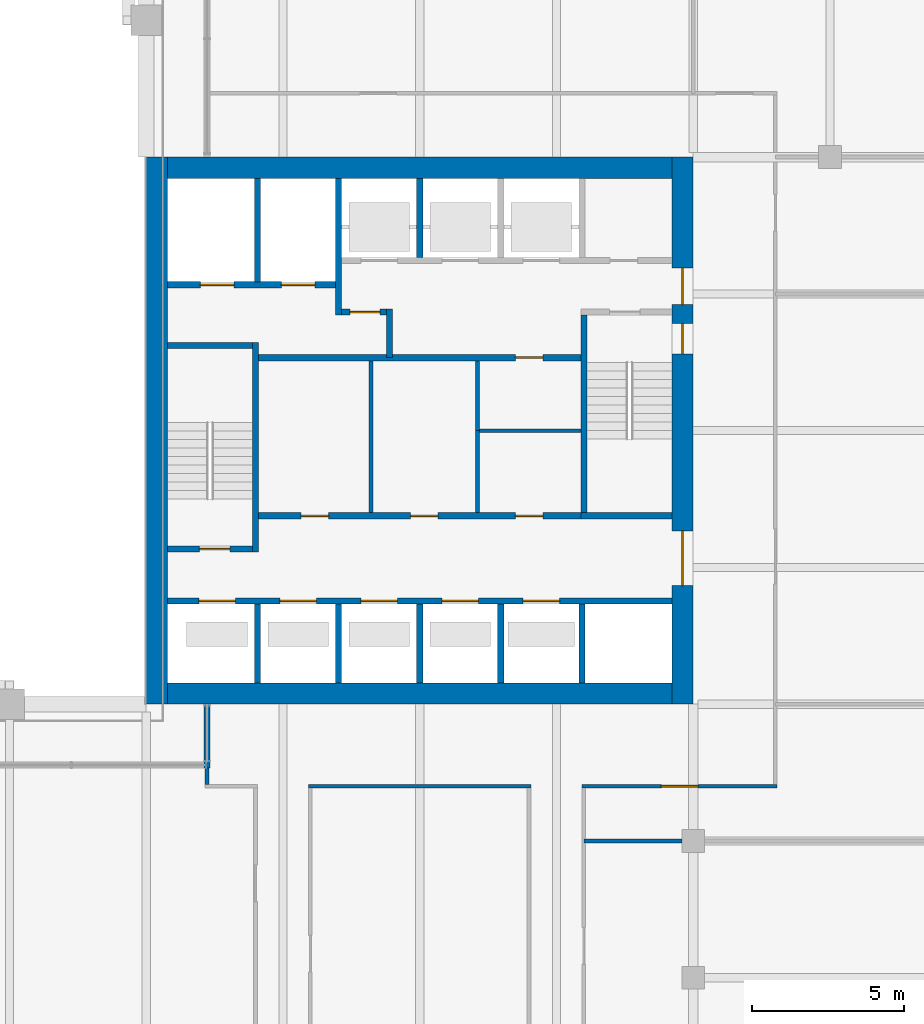
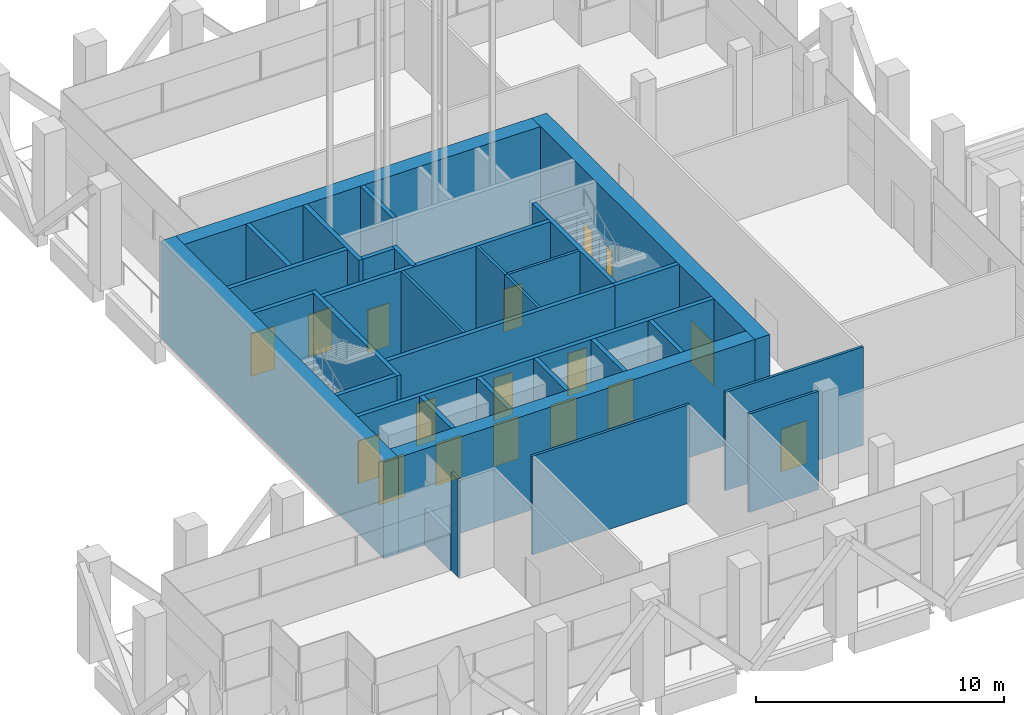
# One storey, part 33 of 48: 32 walls, 17 doors, 17 openings.
"""IFC4 building model written with IfcOpenShell, lengths in metres."""

from ifc_helpers import new_model, si_unit, direction, frame, frame_2d, origin, place, context, subcontext, project, spatial, rectangle, extrude, material, layer, layer_set, type_object, element, fill, save


model = new_model("IFC4")

# Units and contexts
model_context = context("Model", 3, precision=1e-05, world=origin(), true_north=direction((0.0, 1.0)))
body_context = subcontext(model_context, "Body", "Model", "MODEL_VIEW")
ifc_project = project(units=[si_unit("LENGTHUNIT", "METRE"), si_unit("AREAUNIT", "SQUARE_METRE"), si_unit("VOLUMEUNIT", "CUBIC_METRE"), si_unit("PLANEANGLEUNIT", "RADIAN"), si_unit("MASSUNIT", "GRAM", prefix="KILO")], contexts=[model_context])

# Site, building, storey
site_placement = place(None, origin())
site = spatial("IfcSite", under=ifc_project, at=site_placement, CompositionType="ELEMENT")
building_placement = place(site_placement, origin())
building = spatial("IfcBuilding", under=site, at=building_placement, Name="Altepetl Exchange Towers", CompositionType="ELEMENT")
storey_placement = place(building_placement, frame((0.0, 0.0, 138.800048828125)))
storey = spatial("IfcBuildingStorey", under=building, at=storey_placement, Name="L34 Refuge and sky lobby", CompositionType="ELEMENT", Elevation=138.800048828125)

# Wall, openings, doors
ifc_material_1 = material(Name="Concrete C70/85", Category="concrete")
ifc_layer_1 = layer(ifc_material_1, 0.699951171875)
ifc_layer_set_1 = layer_set([ifc_layer_1], Name="Concrete C70/85")
wall_type_1 = type_object("IfcWallType", Name="Core wall 700 reinforced concrete", PredefinedType="SHEAR", material=ifc_layer_set_1)
wall_1_placement = place(storey_placement, frame((58.14990234375, 40.5, 0.0), z_axis=(0.0, 0.0, 1.0), x_axis=(0.0, 1.0, 0.0)))
wall_1 = element("IfcWall", 1, at=wall_1_placement, inside=storey, type_object=wall_type_1, Name="wall:A:L34:K-coreE", PredefinedType="SHEAR", context=body_context, shape_type="SweptSolid", body=[
    extrude(rectangle(XDim=18.0, YDim=0.699951171875, at=frame_2d((9.0, 0.0))), origin(), (0.0, 0.0, 1.0), 4.75),
])
opening_1_placement = place(wall_1_placement, frame((13.14990234375, 0.0, 0.0)))
opening_1 = element("IfcOpeningElement", 2, at=opening_1_placement, cuts=wall_1, Name="Opening L34.A60", PredefinedType="OPENING", context=body_context, shape_type="SweptSolid", body=[
    extrude(rectangle(XDim=1.199951171875, YDim=2.10009765625, at=frame_2d((0.60009765625, 1.050048828125))), frame((0.0, 0.35986328125, 0.0), z_axis=(0.0, -1.0, 0.0), x_axis=(1.0, 0.0, 0.0)), (0.0, 0.0, 1.0), 0.719970703125),
])
opening_2_placement = place(wall_1_placement, frame((3.89990234375, 0.0, 0.0)))
opening_2 = element("IfcOpeningElement", 3, at=opening_2_placement, cuts=wall_1, Name="Opening L34.A61", PredefinedType="OPENING", context=body_context, shape_type="SweptSolid", body=[
    extrude(rectangle(XDim=1.800048828125, YDim=2.10009765625, at=frame_2d((0.89990234375, 1.050048828125))), frame((0.0, 0.35986328125, 0.0), z_axis=(0.0, -1.0, 0.0), x_axis=(1.0, 0.0, 0.0)), (0.0, 0.0, 1.0), 0.719970703125),
])
opening_3_placement = place(wall_1_placement, frame((11.52490234375, 0.0, 0.0)))
opening_3 = element("IfcOpeningElement", 4, at=opening_3_placement, cuts=wall_1, Name="Opening L34.A64", PredefinedType="OPENING", context=body_context, shape_type="SweptSolid", body=[
    extrude(rectangle(XDim=1.0, YDim=2.10009765625, at=frame_2d((0.5, 1.050048828125))), frame((0.0, 0.35986328125, 0.0), z_axis=(0.0, -1.0, 0.0), x_axis=(1.0, 0.0, 0.0)), (0.0, 0.0, 1.0), 0.719970703125),
])
ifc_material_2 = material(Name="Steel and timber fire door", Category="steel")
door_type_1 = type_object("IfcDoorType", Name="Fire door 1000 x 2100 stair and lobby", OperationType="SINGLE_SWING_LEFT", PredefinedType="DOOR", material=ifc_material_2)
door_1_placement = place(opening_3_placement, origin())
door_1 = element("IfcDoor", 5, at=door_1_placement, inside=storey, type_object=door_type_1, Name="door:A:L34:K-dS2x", OperationType="SINGLE_SWING_RIGHT", OverallHeight=2.10009765625, OverallWidth=1.0, PredefinedType="DOOR", context=body_context, shape_type="SweptSolid", body=[
    extrude(rectangle(XDim=1.0, YDim=2.10009765625, at=frame_2d((0.5, 1.050048828125))), frame((0.0, 0.02490234375, 0.0), z_axis=(0.0, -1.0, 0.0), x_axis=(1.0, 0.0, 0.0)), (0.0, 0.0, 1.0), 0.050048828125),
])
fill(opening_3, door_1)
door_type_2 = type_object("IfcDoorType", Name="Fire door 1200 x 2100 lobby entry", OperationType="SINGLE_SWING_LEFT", PredefinedType="DOOR", material=ifc_material_2)
door_2_placement = place(opening_1_placement, origin())
door_2 = element("IfcDoor", 6, at=door_2_placement, inside=storey, type_object=door_type_2, Name="door:A:L34:K-dLNE", OperationType="SINGLE_SWING_RIGHT", OverallHeight=2.10009765625, OverallWidth=1.199951171875, PredefinedType="DOOR", context=body_context, shape_type="SweptSolid", body=[
    extrude(rectangle(XDim=1.199951171875, YDim=2.10009765625, at=frame_2d((0.60009765625, 1.050048828125))), frame((0.0, 0.02490234375, 0.0), z_axis=(0.0, -1.0, 0.0), x_axis=(1.0, 0.0, 0.0)), (0.0, 0.0, 1.0), 0.050048828125),
])
fill(opening_1, door_2)
door_type_3 = type_object("IfcDoorType", Name="Fire door 1800 x 2100 lobby entry", OperationType="DOUBLE_DOOR_SINGLE_SWING", PredefinedType="DOOR", material=ifc_material_2)
door_3_placement = place(opening_2_placement, origin())
door_3 = element("IfcDoor", 7, at=door_3_placement, inside=storey, type_object=door_type_3, Name="door:A:L34:K-dLSE", OperationType="DOUBLE_DOOR_SINGLE_SWING", OverallHeight=2.10009765625, OverallWidth=1.800048828125, PredefinedType="DOOR", context=body_context, shape_type="SweptSolid", body=[
    extrude(rectangle(XDim=1.800048828125, YDim=2.10009765625, at=frame_2d((0.89990234375, 1.050048828125))), frame((0.0, 0.02490234375, 0.0), z_axis=(0.0, -1.0, 0.0), x_axis=(1.0, 0.0, 0.0)), (0.0, 0.0, 1.0), 0.050048828125),
])
fill(opening_2, door_3)

# Walls
for number, where, name in (
    (8, (41.199951171875, 58.14990234375, 0.0), "wall:A:L34:K-coreN"),
    (9, (41.199951171875, 40.85009765625, 0.0), "wall:A:L34:K-coreS"),
):
    element("IfcWall", number, at=place(storey_placement, frame(where)), inside=storey, type_object=wall_type_1, Name=name, PredefinedType="SHEAR", context=body_context, shape_type="SweptSolid", body=[
        extrude(rectangle(XDim=16.60009765625, YDim=0.699951171875, at=frame_2d((8.300048828125, 0.0))), origin(), (0.0, 0.0, 1.0), 4.75),
    ])
ifc_layer_2 = layer(ifc_material_1, 0.699951171875)
ifc_layer_set_2 = layer_set([ifc_layer_2], Name="Concrete C70/85")
wall_type_2 = type_object("IfcWallType", Name="Core wall 700 reinforced concrete external", PredefinedType="SHEAR", material=ifc_layer_set_2)
wall_2_placement = place(storey_placement, frame((40.85009765625, 40.5, 0.0), z_axis=(0.0, 0.0, 1.0), x_axis=(0.0, 1.0, 0.0)))
element("IfcWall", 10, at=wall_2_placement, inside=storey, type_object=wall_type_2, Name="wall:A:L34:K-coreW", PredefinedType="SHEAR", context=body_context, shape_type="SweptSolid", body=[
    extrude(rectangle(XDim=18.0, YDim=0.699951171875, at=frame_2d((9.0, 0.0))), origin(), (0.0, 0.0, 1.0), 4.75),
])
ifc_material_3 = material(Name="Concrete blockwork", Category="masonry")
ifc_layer_3 = layer(ifc_material_3, 0.199951171875)
ifc_layer_set_3 = layer_set([ifc_layer_3], Name="Concrete blockwork")
wall_type_3 = type_object("IfcWallType", Name="Lobby wall 200 blockwork", PredefinedType="PARTITIONING", material=ifc_layer_set_3)
wall_3_placement = place(storey_placement, frame((48.5, 51.89990234375, 0.0), z_axis=(0.0, 0.0, 1.0), x_axis=(0.0, 1.0, 0.0)))
element("IfcWall", 11, at=wall_3_placement, inside=storey, type_object=wall_type_3, Name="wall:A:L34:K-ffE", PredefinedType="PARTITIONING", context=body_context, shape_type="SweptSolid", body=[
    extrude(rectangle(XDim=1.60009765625, YDim=0.199951171875, at=frame_2d((0.800048828125, 0.0))), origin(), (0.0, 0.0, 1.0), 4.75),
])

# Wall, opening, door
wall_4_placement = place(storey_placement, frame((46.933349609375, 53.39990234375, 0.0)))
wall_4 = element("IfcWall", 12, at=wall_4_placement, inside=storey, type_object=wall_type_3, Name="wall:A:L34:K-ffN", PredefinedType="PARTITIONING", context=body_context, shape_type="SweptSolid", body=[
    extrude(rectangle(XDim=1.466552734375, YDim=0.199951171875, at=frame_2d((0.7333984375, 0.0))), origin(), (0.0, 0.0, 1.0), 4.75),
])
opening_4_placement = place(wall_4_placement, frame((0.2666015625, 0.0, 0.0)))
opening_4 = element("IfcOpeningElement", 13, at=opening_4_placement, cuts=wall_4, Name="Opening L34.A65", PredefinedType="OPENING", context=body_context, shape_type="SweptSolid", body=[
    extrude(rectangle(XDim=1.0, YDim=2.10009765625, at=frame_2d((0.5, 1.050048828125))), frame((0.0, 0.10986328125, 0.0), z_axis=(0.0, -1.0, 0.0), x_axis=(1.0, 0.0, 0.0)), (0.0, 0.0, 1.0), 0.219970703125),
])
door_4_placement = place(opening_4_placement, frame((1.0, 0.0, 0.0), x_axis=(-1.0, 0.0, 0.0)))
door_4 = element("IfcDoor", 14, at=door_4_placement, inside=storey, type_object=door_type_1, Name="door:A:L34:K-dffN", OperationType="SINGLE_SWING_RIGHT", OverallHeight=2.10009765625, OverallWidth=1.0, PredefinedType="DOOR", context=body_context, shape_type="SweptSolid", body=[
    extrude(rectangle(XDim=1.0, YDim=2.10009765625, at=frame_2d((0.5, 1.050048828125))), frame((0.0, 0.02490234375, 0.0), z_axis=(0.0, -1.0, 0.0), x_axis=(1.0, 0.0, 0.0)), (0.0, 0.0, 1.0), 0.050048828125),
])
fill(opening_4, door_4)

wall_5_placement = place(storey_placement, frame((44.199951171875, 51.89990234375, 0.0)))
wall_5 = element("IfcWall", 15, at=wall_5_placement, inside=storey, type_object=wall_type_3, Name="wall:A:L34:K-zoneN", PredefinedType="PARTITIONING", context=body_context, shape_type="SweptSolid", body=[
    extrude(rectangle(XDim=10.60009765625, YDim=0.199951171875, at=frame_2d((5.300048828125, 0.0))), origin(), (0.0, 0.0, 1.0), 4.75),
])
opening_5_placement = place(wall_5_placement, frame((8.449951171875, 0.0, 0.0)))
opening_5 = element("IfcOpeningElement", 16, at=opening_5_placement, cuts=wall_5, Name="Opening L34.A70", PredefinedType="OPENING", context=body_context, shape_type="SweptSolid", body=[
    extrude(rectangle(XDim=0.89990234375, YDim=2.10009765625, at=frame_2d((0.449951171875, 1.050048828125))), frame((0.0, 0.10986328125, 0.0), z_axis=(0.0, -1.0, 0.0), x_axis=(1.0, 0.0, 0.0)), (0.0, 0.0, 1.0), 0.219970703125),
])
door_type_4 = type_object("IfcDoorType", Name="Fire door 900 x 2100 service room", OperationType="SINGLE_SWING_LEFT", PredefinedType="DOOR", material=ifc_material_2)
door_5_placement = place(opening_5_placement, frame((0.89990234375, 0.0, 0.0), x_axis=(-1.0, 0.0, 0.0)))
door_5 = element("IfcDoor", 17, at=door_5_placement, inside=storey, type_object=door_type_4, Name="door:A:L34:K-dz4", OperationType="SINGLE_SWING_LEFT", OverallHeight=2.10009765625, OverallWidth=0.89990234375, PredefinedType="DOOR", context=body_context, shape_type="SweptSolid", body=[
    extrude(rectangle(XDim=0.89990234375, YDim=2.10009765625, at=frame_2d((0.449951171875, 1.050048828125))), frame((0.0, 0.02490234375, 0.0), z_axis=(0.0, -1.0, 0.0), x_axis=(1.0, 0.0, 0.0)), (0.0, 0.0, 1.0), 0.050048828125),
])
fill(opening_5, door_5)

# Wall, openings, doors
wall_6_placement = place(storey_placement, frame((44.199951171875, 46.699951171875, 0.0)))
wall_6 = element("IfcWall", 18, at=wall_6_placement, inside=storey, type_object=wall_type_3, Name="wall:A:L34:K-zoneS", PredefinedType="PARTITIONING", context=body_context, shape_type="SweptSolid", body=[
    extrude(rectangle(XDim=10.60009765625, YDim=0.199951171875, at=frame_2d((5.300048828125, 0.0))), origin(), (0.0, 0.0, 1.0), 4.75),
])
opening_6_placement = place(wall_6_placement, frame((1.39990234375, 0.0, 0.0)))
opening_6 = element("IfcOpeningElement", 19, at=opening_6_placement, cuts=wall_6, Name="Opening L34.A67", PredefinedType="OPENING", context=body_context, shape_type="SweptSolid", body=[
    extrude(rectangle(XDim=0.89990234375, YDim=2.10009765625, at=frame_2d((0.449951171875, 1.050048828125))), frame((0.0, 0.10986328125, 0.0), z_axis=(0.0, -1.0, 0.0), x_axis=(1.0, 0.0, 0.0)), (0.0, 0.0, 1.0), 0.219970703125),
])
opening_7_placement = place(wall_6_placement, frame((5.0, 0.0, 0.0)))
opening_7 = element("IfcOpeningElement", 20, at=opening_7_placement, cuts=wall_6, Name="Opening L34.A68", PredefinedType="OPENING", context=body_context, shape_type="SweptSolid", body=[
    extrude(rectangle(XDim=0.89990234375, YDim=2.10009765625, at=frame_2d((0.449951171875, 1.050048828125))), frame((0.0, 0.10986328125, 0.0), z_axis=(0.0, -1.0, 0.0), x_axis=(1.0, 0.0, 0.0)), (0.0, 0.0, 1.0), 0.219970703125),
])
opening_8_placement = place(wall_6_placement, frame((8.449951171875, 0.0, 0.0)))
opening_8 = element("IfcOpeningElement", 21, at=opening_8_placement, cuts=wall_6, Name="Opening L34.A69", PredefinedType="OPENING", context=body_context, shape_type="SweptSolid", body=[
    extrude(rectangle(XDim=0.89990234375, YDim=2.10009765625, at=frame_2d((0.449951171875, 1.050048828125))), frame((0.0, 0.10986328125, 0.0), z_axis=(0.0, -1.0, 0.0), x_axis=(1.0, 0.0, 0.0)), (0.0, 0.0, 1.0), 0.219970703125),
])
door_6_placement = place(opening_6_placement, origin())
door_6 = element("IfcDoor", 22, at=door_6_placement, inside=storey, type_object=door_type_4, Name="door:A:L34:K-dz1", OperationType="SINGLE_SWING_LEFT", OverallHeight=2.10009765625, OverallWidth=0.89990234375, PredefinedType="DOOR", context=body_context, shape_type="SweptSolid", body=[
    extrude(rectangle(XDim=0.89990234375, YDim=2.10009765625, at=frame_2d((0.449951171875, 1.050048828125))), frame((0.0, 0.02490234375, 0.0), z_axis=(0.0, -1.0, 0.0), x_axis=(1.0, 0.0, 0.0)), (0.0, 0.0, 1.0), 0.050048828125),
])
fill(opening_6, door_6)
door_7_placement = place(opening_7_placement, origin())
door_7 = element("IfcDoor", 23, at=door_7_placement, inside=storey, type_object=door_type_4, Name="door:A:L34:K-dz2", OperationType="SINGLE_SWING_RIGHT", OverallHeight=2.10009765625, OverallWidth=0.89990234375, PredefinedType="DOOR", context=body_context, shape_type="SweptSolid", body=[
    extrude(rectangle(XDim=0.89990234375, YDim=2.10009765625, at=frame_2d((0.449951171875, 1.050048828125))), frame((0.0, 0.02490234375, 0.0), z_axis=(0.0, -1.0, 0.0), x_axis=(1.0, 0.0, 0.0)), (0.0, 0.0, 1.0), 0.050048828125),
])
fill(opening_7, door_7)
door_8_placement = place(opening_8_placement, origin())
door_8 = element("IfcDoor", 24, at=door_8_placement, inside=storey, type_object=door_type_4, Name="door:A:L34:K-dz3", OperationType="SINGLE_SWING_RIGHT", OverallHeight=2.10009765625, OverallWidth=0.89990234375, PredefinedType="DOOR", context=body_context, shape_type="SweptSolid", body=[
    extrude(rectangle(XDim=0.89990234375, YDim=2.10009765625, at=frame_2d((0.449951171875, 1.050048828125))), frame((0.0, 0.02490234375, 0.0), z_axis=(0.0, -1.0, 0.0), x_axis=(1.0, 0.0, 0.0)), (0.0, 0.0, 1.0), 0.050048828125),
])
fill(opening_8, door_8)

# Walls
ifc_material_4 = material(Name="Gypsum board on steel studs", Category="steel")
ifc_layer_4 = layer(ifc_material_4, 0.125)
ifc_layer_set_4 = layer_set([ifc_layer_4], Name="Gypsum board on steel studs")
wall_type_4 = type_object("IfcWallType", Name="Partition 125 gypsum board on steel studs", PredefinedType="PARTITIONING", material=ifc_layer_set_4)
wall_7_placement = place(storey_placement, frame((47.89990234375, 46.800048828125, 0.0), z_axis=(0.0, 0.0, 1.0), x_axis=(0.0, 1.0, 0.0)))
element("IfcWall", 25, at=wall_7_placement, inside=storey, type_object=wall_type_4, Name="wall:A:L34:K-zp1", PredefinedType="PARTITIONING", context=body_context, shape_type="SweptSolid", body=[
    extrude(rectangle(XDim=5.0, YDim=0.125, at=frame_2d((2.5, 0.0))), origin(), (0.0, 0.0, 1.0), 4.75),
])
wall_8_placement = place(storey_placement, frame((51.39990234375, 46.800048828125, 0.0), z_axis=(0.0, 0.0, 1.0), x_axis=(0.0, 1.0, 0.0)))
element("IfcWall", 26, at=wall_8_placement, inside=storey, type_object=wall_type_4, Name="wall:A:L34:K-zp2", PredefinedType="PARTITIONING", context=body_context, shape_type="SweptSolid", body=[
    extrude(rectangle(XDim=2.762451171875, YDim=0.125, at=frame_2d((1.38134765625, 0.0))), origin(), (0.0, 0.0, 1.0), 4.75),
])
wall_9_placement = place(storey_placement, frame((54.800048828125, 49.5, 0.0), z_axis=(0.0, 0.0, 1.0), x_axis=(-1.0, 0.0, 0.0)))
element("IfcWall", 27, at=wall_9_placement, inside=storey, type_object=wall_type_4, Name="wall:A:L34:K-zp3", PredefinedType="PARTITIONING", context=body_context, shape_type="SweptSolid", body=[
    extrude(rectangle(XDim=3.337646484375, YDim=0.125, at=frame_2d((1.6689453125, 0.0))), origin(), (0.0, 0.0, 1.0), 4.75),
])
wall_10_placement = place(storey_placement, frame((51.39990234375, 49.5, 0.0), z_axis=(0.0, 0.0, 1.0), x_axis=(0.0, 1.0, 0.0)))
element("IfcWall", 28, at=wall_10_placement, inside=storey, type_object=wall_type_4, Name="wall:A:L34:K-zp4", PredefinedType="PARTITIONING", context=body_context, shape_type="SweptSolid", body=[
    extrude(rectangle(XDim=2.300048828125, YDim=0.125, at=frame_2d((1.14990234375, 0.0))), origin(), (0.0, 0.0, 1.0), 4.75),
])
wall_11_placement = place(storey_placement, frame((54.89990234375, 36.0, 0.0)))
element("IfcWall", 29, at=wall_11_placement, inside=storey, type_object=wall_type_4, Name="wall:A:L34:P01", PredefinedType="PARTITIONING", context=body_context, shape_type="SweptSolid", body=[
    extrude(rectangle(XDim=3.22509765625, YDim=0.125, at=frame_2d((1.612548828125, 0.0))), origin(), (0.0, 0.0, 1.0), 4.849853515625),
])
wall_12_placement = place(storey_placement, frame((45.83740234375, 37.800048828125, 0.0)))
element("IfcWall", 30, at=wall_12_placement, inside=storey, type_object=wall_type_4, Name="wall:A:L34:P04", PredefinedType="PARTITIONING", context=body_context, shape_type="SweptSolid", body=[
    extrude(rectangle(XDim=7.3251953125, YDim=0.125, at=frame_2d((3.66259765625, 0.0))), origin(), (0.0, 0.0, 1.0), 4.849853515625),
])

# Wall, opening, door
wall_13_placement = place(storey_placement, frame((54.83740234375, 37.800048828125, 0.0)))
wall_13 = element("IfcWall", 31, at=wall_13_placement, inside=storey, type_object=wall_type_4, Name="wall:A:L34:P05", PredefinedType="PARTITIONING", context=body_context, shape_type="SweptSolid", body=[
    extrude(rectangle(XDim=6.425048828125, YDim=0.125, at=frame_2d((3.21240234375, 0.0))), origin(), (0.0, 0.0, 1.0), 4.849853515625),
])
opening_9_placement = place(wall_13_placement, frame((2.612548828125, 0.0, 0.0)))
opening_9 = element("IfcOpeningElement", 32, at=opening_9_placement, cuts=wall_13, Name="Opening L34.A04", PredefinedType="OPENING", context=body_context, shape_type="SweptSolid", body=[
    extrude(rectangle(XDim=1.199951171875, YDim=2.10009765625, at=frame_2d((0.60009765625, 1.050048828125))), frame((0.0, 0.072509765625, 0.0), z_axis=(0.0, -1.0, 0.0), x_axis=(1.0, 0.0, 0.0)), (0.0, 0.0, 1.0), 0.14501953125),
])
door_type_5 = type_object("IfcDoorType", Name="Fire door 1200 x 2100 plant and refuge", OperationType="SINGLE_SWING_LEFT", PredefinedType="DOOR", material=ifc_material_2)
door_9_placement = place(opening_9_placement, origin())
door_9 = element("IfcDoor", 33, at=door_9_placement, inside=storey, type_object=door_type_5, Name="door:A:L34:04", OperationType="SINGLE_SWING_LEFT", OverallHeight=2.10009765625, OverallWidth=1.199951171875, PredefinedType="DOOR", context=body_context, shape_type="SweptSolid", body=[
    extrude(rectangle(XDim=1.199951171875, YDim=2.10009765625, at=frame_2d((0.60009765625, 1.050048828125))), frame((0.0, 0.02490234375, 0.0), z_axis=(0.0, -1.0, 0.0), x_axis=(1.0, 0.0, 0.0)), (0.0, 0.0, 1.0), 0.050048828125),
])
fill(opening_9, door_9)

# Walls
wall_14_placement = place(storey_placement, frame((42.5, 37.862548828125, 0.0), z_axis=(0.0, 0.0, 1.0), x_axis=(0.0, 1.0, 0.0)))
element("IfcWall", 34, at=wall_14_placement, inside=storey, type_object=wall_type_4, Name="wall:A:L34:P12", PredefinedType="PARTITIONING", context=body_context, shape_type="SweptSolid", body=[
    extrude(rectangle(XDim=0.537353515625, YDim=0.125, at=frame_2d((0.2685546875, 0.0))), origin(), (0.0, 0.0, 1.0), 4.849853515625),
])
ifc_material_5 = material(Name="Cantera limestone cladding", Category="masonry")
ifc_layer_5 = layer(ifc_material_5, 0.199951171875)
ifc_layer_set_5 = layer_set([ifc_layer_5], Name="Cantera limestone cladding")
wall_type_5 = type_object("IfcWallType", Name="Refuge stone wall 200", PredefinedType="ELEMENTEDWALL", material=ifc_layer_set_5)
wall_15_placement = place(storey_placement, frame((42.5, 40.5, 0.0), z_axis=(0.0, 0.0, 1.0), x_axis=(0.0, -1.0, 0.0)))
element("IfcWall", 35, at=wall_15_placement, inside=storey, type_object=wall_type_5, Name="Refuge stone wall", PredefinedType="ELEMENTEDWALL", context=body_context, shape_type="SweptSolid", body=[
    extrude(rectangle(XDim=2.10009765625, YDim=0.199951171875, at=frame_2d((1.050048828125, 0.0))), origin(), (0.0, 0.0, 1.0), 1.800048828125),
])
ifc_material_6 = material(Name="Concrete C40/50", Category="concrete")
ifc_layer_6 = layer(ifc_material_6, 0.199951171875)
ifc_layer_set_6 = layer_set([ifc_layer_6], Name="Concrete C40/50")
wall_type_6 = type_object("IfcWallType", Name="Shaft wall 200 reinforced concrete", PredefinedType="SHEAR", material=ifc_layer_set_6)
wall_16_placement = place(storey_placement, frame((44.166748046875, 57.800048828125, 0.0), z_axis=(0.0, 0.0, 1.0), x_axis=(0.0, -1.0, 0.0)))
element("IfcWall", 36, at=wall_16_placement, inside=storey, type_object=wall_type_6, Name="wall:A:L34:K-divN1", PredefinedType="SHEAR", context=body_context, shape_type="SweptSolid", body=[
    extrude(rectangle(XDim=3.400146484375, YDim=0.199951171875, at=frame_2d((1.7001953125, 0.0))), origin(), (0.0, 0.0, 1.0), 4.75),
])
wall_17_placement = place(storey_placement, frame((46.833251953125, 57.800048828125, 0.0), z_axis=(0.0, 0.0, 1.0), x_axis=(0.0, -1.0, 0.0)))
element("IfcWall", 37, at=wall_17_placement, inside=storey, type_object=wall_type_6, Name="wall:A:L34:K-divN2", PredefinedType="SHEAR", context=body_context, shape_type="SweptSolid", body=[
    extrude(rectangle(XDim=4.5, YDim=0.199951171875, at=frame_2d((2.25, 0.0))), origin(), (0.0, 0.0, 1.0), 4.75),
])
for number, where, z_axis, x_axis, name in (
    (38, (49.5, 57.800048828125, 0.0), (0.0, 0.0, 1.0), (0.0, -1.0, 0.0), "wall:A:L34:K-divN3"),
    (39, (44.166748046875, 41.199951171875, 0.0), (0.0, 0.0, 1.0), (0.0, 1.0, 0.0), "wall:A:L34:K-divS1"),
    (40, (46.833251953125, 41.199951171875, 0.0), (0.0, 0.0, 1.0), (0.0, 1.0, 0.0), "wall:A:L34:K-divS2"),
    (41, (49.5, 41.199951171875, 0.0), (0.0, 0.0, 1.0), (0.0, 1.0, 0.0), "wall:A:L34:K-divS3"),
    (42, (52.166748046875, 41.199951171875, 0.0), (0.0, 0.0, 1.0), (0.0, 1.0, 0.0), "wall:A:L34:K-divS4"),
    (43, (54.833251953125, 41.199951171875, 0.0), (0.0, 0.0, 1.0), (0.0, 1.0, 0.0), "wall:A:L34:K-divS5"),
):
    element("IfcWall", number, at=place(storey_placement, frame(where, z_axis=z_axis, x_axis=x_axis)), inside=storey, type_object=wall_type_6, Name=name, PredefinedType="SHEAR", context=body_context, shape_type="SweptSolid", body=[
        extrude(rectangle(XDim=2.60009765625, YDim=0.199951171875, at=frame_2d((1.300048828125, 0.0))), origin(), (0.0, 0.0, 1.0), 4.75),
    ])

# Wall, openings, doors
wall_18_placement = place(storey_placement, frame((41.199951171875, 54.300048828125, 0.0)))
wall_18 = element("IfcWall", 44, at=wall_18_placement, inside=storey, type_object=wall_type_6, Name="wall:A:L34:K-frontNd", PredefinedType="SHEAR", context=body_context, shape_type="SweptSolid", body=[
    extrude(rectangle(XDim=5.533447265625, YDim=0.199951171875, at=frame_2d((2.7666015625, 0.0))), origin(), (0.0, 0.0, 1.0), 4.75),
])
opening_10_placement = place(wall_18_placement, frame((1.083251953125, 0.0, 0.0)))
opening_10 = element("IfcOpeningElement", 45, at=opening_10_placement, cuts=wall_18, Name="Opening L34.A71", PredefinedType="OPENING", context=body_context, shape_type="SweptSolid", body=[
    extrude(rectangle(XDim=1.10009765625, YDim=2.10009765625, at=frame_2d((0.550048828125, 1.050048828125))), frame((0.0, 0.10986328125, 0.0), z_axis=(0.0, -1.0, 0.0), x_axis=(1.0, 0.0, 0.0)), (0.0, 0.0, 1.0), 0.219970703125),
])
opening_11_placement = place(wall_18_placement, frame((3.75, 0.0, 0.0)))
opening_11 = element("IfcOpeningElement", 46, at=opening_11_placement, cuts=wall_18, Name="Opening L34.A72", PredefinedType="OPENING", context=body_context, shape_type="SweptSolid", body=[
    extrude(rectangle(XDim=1.10009765625, YDim=2.10009765625, at=frame_2d((0.550048828125, 1.050048828125))), frame((0.0, 0.10986328125, 0.0), z_axis=(0.0, -1.0, 0.0), x_axis=(1.0, 0.0, 0.0)), (0.0, 0.0, 1.0), 0.219970703125),
])
ifc_material_7 = material(Name="Stainless steel", Category="steel")
door_type_6 = type_object("IfcDoorType", Name="Lift landing door 1100 x 2100", OperationType="SLIDING_TO_LEFT", PredefinedType="DOOR", material=ifc_material_7)
door_10_placement = place(opening_10_placement, origin())
door_10 = element("IfcDoor", 47, at=door_10_placement, inside=storey, type_object=door_type_6, Name="Landing door FFL1", OperationType="SLIDING_TO_LEFT", OverallHeight=2.10009765625, OverallWidth=1.10009765625, PredefinedType="DOOR", context=body_context, shape_type="SweptSolid", body=[
    extrude(rectangle(XDim=1.10009765625, YDim=2.10009765625, at=frame_2d((0.550048828125, 1.050048828125))), frame((0.0, 0.02490234375, 0.0), z_axis=(0.0, -1.0, 0.0), x_axis=(1.0, 0.0, 0.0)), (0.0, 0.0, 1.0), 0.050048828125),
])
fill(opening_10, door_10)
door_11_placement = place(opening_11_placement, origin())
door_11 = element("IfcDoor", 48, at=door_11_placement, inside=storey, type_object=door_type_6, Name="Landing door FFL2", OperationType="SLIDING_TO_LEFT", OverallHeight=2.10009765625, OverallWidth=1.10009765625, PredefinedType="DOOR", context=body_context, shape_type="SweptSolid", body=[
    extrude(rectangle(XDim=1.10009765625, YDim=2.10009765625, at=frame_2d((0.550048828125, 1.050048828125))), frame((0.0, 0.02490234375, 0.0), z_axis=(0.0, -1.0, 0.0), x_axis=(1.0, 0.0, 0.0)), (0.0, 0.0, 1.0), 0.050048828125),
])
fill(opening_11, door_11)

wall_19_placement = place(storey_placement, frame((41.199951171875, 43.89990234375, 0.0)))
wall_19 = element("IfcWall", 49, at=wall_19_placement, inside=storey, type_object=wall_type_6, Name="wall:A:L34:K-frontS", PredefinedType="SHEAR", context=body_context, shape_type="SweptSolid", body=[
    extrude(rectangle(XDim=16.60009765625, YDim=0.199951171875, at=frame_2d((8.300048828125, 0.0))), origin(), (0.0, 0.0, 1.0), 4.75),
])
opening_12_placement = place(wall_19_placement, frame((1.033203125, 0.0, 0.0)))
opening_12 = element("IfcOpeningElement", 50, at=opening_12_placement, cuts=wall_19, Name="Opening L34.A73", PredefinedType="OPENING", context=body_context, shape_type="SweptSolid", body=[
    extrude(rectangle(XDim=1.199951171875, YDim=2.10009765625, at=frame_2d((0.60009765625, 1.050048828125))), frame((0.0, 0.10986328125, 0.0), z_axis=(0.0, -1.0, 0.0), x_axis=(1.0, 0.0, 0.0)), (0.0, 0.0, 1.0), 0.219970703125),
])
opening_13_placement = place(wall_19_placement, frame((3.699951171875, 0.0, 0.0)))
opening_13 = element("IfcOpeningElement", 51, at=opening_13_placement, cuts=wall_19, Name="Opening L34.A74", PredefinedType="OPENING", context=body_context, shape_type="SweptSolid", body=[
    extrude(rectangle(XDim=1.199951171875, YDim=2.10009765625, at=frame_2d((0.60009765625, 1.050048828125))), frame((0.0, 0.10986328125, 0.0), z_axis=(0.0, -1.0, 0.0), x_axis=(1.0, 0.0, 0.0)), (0.0, 0.0, 1.0), 0.219970703125),
])
opening_14_placement = place(wall_19_placement, frame((6.36669921875, 0.0, 0.0)))
opening_14 = element("IfcOpeningElement", 52, at=opening_14_placement, cuts=wall_19, Name="Opening L34.A75", PredefinedType="OPENING", context=body_context, shape_type="SweptSolid", body=[
    extrude(rectangle(XDim=1.199951171875, YDim=2.10009765625, at=frame_2d((0.60009765625, 1.050048828125))), frame((0.0, 0.10986328125, 0.0), z_axis=(0.0, -1.0, 0.0), x_axis=(1.0, 0.0, 0.0)), (0.0, 0.0, 1.0), 0.219970703125),
])
opening_15_placement = place(wall_19_placement, frame((9.033203125, 0.0, 0.0)))
opening_15 = element("IfcOpeningElement", 53, at=opening_15_placement, cuts=wall_19, Name="Opening L34.A76", PredefinedType="OPENING", context=body_context, shape_type="SweptSolid", body=[
    extrude(rectangle(XDim=1.199951171875, YDim=2.10009765625, at=frame_2d((0.60009765625, 1.050048828125))), frame((0.0, 0.10986328125, 0.0), z_axis=(0.0, -1.0, 0.0), x_axis=(1.0, 0.0, 0.0)), (0.0, 0.0, 1.0), 0.219970703125),
])
opening_16_placement = place(wall_19_placement, frame((11.699951171875, 0.0, 0.0)))
opening_16 = element("IfcOpeningElement", 54, at=opening_16_placement, cuts=wall_19, Name="Opening L34.A80", PredefinedType="OPENING", context=body_context, shape_type="SweptSolid", body=[
    extrude(rectangle(XDim=1.199951171875, YDim=2.10009765625, at=frame_2d((0.60009765625, 1.050048828125))), frame((0.0, 0.10986328125, 0.0), z_axis=(0.0, -1.0, 0.0), x_axis=(1.0, 0.0, 0.0)), (0.0, 0.0, 1.0), 0.219970703125),
])
door_type_7 = type_object("IfcDoorType", Name="Lift landing door 1200 x 2100", OperationType="SLIDING_TO_LEFT", PredefinedType="DOOR", material=ifc_material_7)
door_12_placement = place(opening_12_placement, origin())
door_12 = element("IfcDoor", 55, at=door_12_placement, inside=storey, type_object=door_type_7, Name="Landing door P1", OperationType="SLIDING_TO_LEFT", OverallHeight=2.10009765625, OverallWidth=1.199951171875, PredefinedType="DOOR", context=body_context, shape_type="SweptSolid", body=[
    extrude(rectangle(XDim=1.199951171875, YDim=2.10009765625, at=frame_2d((0.60009765625, 1.050048828125))), frame((0.0, 0.02490234375, 0.0), z_axis=(0.0, -1.0, 0.0), x_axis=(1.0, 0.0, 0.0)), (0.0, 0.0, 1.0), 0.050048828125),
])
fill(opening_12, door_12)
door_13_placement = place(opening_13_placement, origin())
door_13 = element("IfcDoor", 56, at=door_13_placement, inside=storey, type_object=door_type_7, Name="Landing door P2", OperationType="SLIDING_TO_LEFT", OverallHeight=2.10009765625, OverallWidth=1.199951171875, PredefinedType="DOOR", context=body_context, shape_type="SweptSolid", body=[
    extrude(rectangle(XDim=1.199951171875, YDim=2.10009765625, at=frame_2d((0.60009765625, 1.050048828125))), frame((0.0, 0.02490234375, 0.0), z_axis=(0.0, -1.0, 0.0), x_axis=(1.0, 0.0, 0.0)), (0.0, 0.0, 1.0), 0.050048828125),
])
fill(opening_13, door_13)
door_14_placement = place(opening_14_placement, origin())
door_14 = element("IfcDoor", 57, at=door_14_placement, inside=storey, type_object=door_type_7, Name="Landing door P3", OperationType="SLIDING_TO_LEFT", OverallHeight=2.10009765625, OverallWidth=1.199951171875, PredefinedType="DOOR", context=body_context, shape_type="SweptSolid", body=[
    extrude(rectangle(XDim=1.199951171875, YDim=2.10009765625, at=frame_2d((0.60009765625, 1.050048828125))), frame((0.0, 0.02490234375, 0.0), z_axis=(0.0, -1.0, 0.0), x_axis=(1.0, 0.0, 0.0)), (0.0, 0.0, 1.0), 0.050048828125),
])
fill(opening_14, door_14)
door_15_placement = place(opening_15_placement, origin())
door_15 = element("IfcDoor", 58, at=door_15_placement, inside=storey, type_object=door_type_7, Name="Landing door P4", OperationType="SLIDING_TO_LEFT", OverallHeight=2.10009765625, OverallWidth=1.199951171875, PredefinedType="DOOR", context=body_context, shape_type="SweptSolid", body=[
    extrude(rectangle(XDim=1.199951171875, YDim=2.10009765625, at=frame_2d((0.60009765625, 1.050048828125))), frame((0.0, 0.02490234375, 0.0), z_axis=(0.0, -1.0, 0.0), x_axis=(1.0, 0.0, 0.0)), (0.0, 0.0, 1.0), 0.050048828125),
])
fill(opening_15, door_15)
door_16_placement = place(opening_16_placement, origin())
door_16 = element("IfcDoor", 59, at=door_16_placement, inside=storey, type_object=door_type_7, Name="Landing door SH1", OperationType="SLIDING_TO_LEFT", OverallHeight=2.10009765625, OverallWidth=1.199951171875, PredefinedType="DOOR", context=body_context, shape_type="SweptSolid", body=[
    extrude(rectangle(XDim=1.199951171875, YDim=2.10009765625, at=frame_2d((0.60009765625, 1.050048828125))), frame((0.0, 0.02490234375, 0.0), z_axis=(0.0, -1.0, 0.0), x_axis=(1.0, 0.0, 0.0)), (0.0, 0.0, 1.0), 0.050048828125),
])
fill(opening_16, door_16)

# Walls
ifc_layer_7 = layer(ifc_material_6, 0.199951171875)
ifc_layer_set_7 = layer_set([ifc_layer_7], Name="Concrete C40/50")
wall_type_7 = type_object("IfcWallType", Name="Stair wall 200 reinforced concrete", PredefinedType="SHEAR", material=ifc_layer_set_7)
wall_20_placement = place(storey_placement, frame((44.10009765625, 45.5, 0.0), z_axis=(0.0, 0.0, 1.0), x_axis=(0.0, 1.0, 0.0)))
element("IfcWall", 60, at=wall_20_placement, inside=storey, type_object=wall_type_7, Name="wall:A:L34:K-stS1E", PredefinedType="SHEAR", context=body_context, shape_type="SweptSolid", body=[
    extrude(rectangle(XDim=6.89990234375, YDim=0.199951171875, at=frame_2d((3.449951171875, 0.0))), origin(), (0.0, 0.0, 1.0), 4.75),
])
wall_21_placement = place(storey_placement, frame((41.199951171875, 52.300048828125, 0.0)))
element("IfcWall", 61, at=wall_21_placement, inside=storey, type_object=wall_type_7, Name="wall:A:L34:K-stS1N", PredefinedType="SHEAR", context=body_context, shape_type="SweptSolid", body=[
    extrude(rectangle(XDim=2.800048828125, YDim=0.199951171875, at=frame_2d((1.39990234375, 0.0))), origin(), (0.0, 0.0, 1.0), 4.75),
])

# Wall, opening, door
wall_22_placement = place(storey_placement, frame((41.199951171875, 45.60009765625, 0.0)))
wall_22 = element("IfcWall", 62, at=wall_22_placement, inside=storey, type_object=wall_type_7, Name="wall:A:L34:K-stS1S", PredefinedType="SHEAR", context=body_context, shape_type="SweptSolid", body=[
    extrude(rectangle(XDim=2.800048828125, YDim=0.199951171875, at=frame_2d((1.39990234375, 0.0))), origin(), (0.0, 0.0, 1.0), 4.75),
])
opening_17_placement = place(wall_22_placement, frame((1.050048828125, 0.0, 0.0)))
opening_17 = element("IfcOpeningElement", 63, at=opening_17_placement, cuts=wall_22, Name="Opening L34.A62", PredefinedType="OPENING", context=body_context, shape_type="SweptSolid", body=[
    extrude(rectangle(XDim=1.0, YDim=2.10009765625, at=frame_2d((0.5, 1.050048828125))), frame((0.0, 0.10986328125, 0.0), z_axis=(0.0, -1.0, 0.0), x_axis=(1.0, 0.0, 0.0)), (0.0, 0.0, 1.0), 0.219970703125),
])
door_17_placement = place(opening_17_placement, origin())
door_17 = element("IfcDoor", 64, at=door_17_placement, inside=storey, type_object=door_type_1, Name="door:A:L34:K-dS1in", OperationType="SINGLE_SWING_RIGHT", OverallHeight=2.10009765625, OverallWidth=1.0, PredefinedType="DOOR", context=body_context, shape_type="SweptSolid", body=[
    extrude(rectangle(XDim=1.0, YDim=2.10009765625, at=frame_2d((0.5, 1.050048828125))), frame((0.0, 0.02490234375, 0.0), z_axis=(0.0, -1.0, 0.0), x_axis=(1.0, 0.0, 0.0)), (0.0, 0.0, 1.0), 0.050048828125),
])
fill(opening_17, door_17)

# Walls
wall_23_placement = place(storey_placement, frame((54.800048828125, 46.699951171875, 0.0)))
element("IfcWall", 65, at=wall_23_placement, inside=storey, type_object=wall_type_7, Name="wall:A:L34:K-stS2S", PredefinedType="SHEAR", context=body_context, shape_type="SweptSolid", body=[
    extrude(rectangle(XDim=3.0, YDim=0.199951171875, at=frame_2d((1.5, 0.0))), origin(), (0.0, 0.0, 1.0), 4.75),
])
wall_24_placement = place(storey_placement, frame((54.89990234375, 46.800048828125, 0.0), z_axis=(0.0, 0.0, 1.0), x_axis=(0.0, 1.0, 0.0)))
element("IfcWall", 66, at=wall_24_placement, inside=storey, type_object=wall_type_7, Name="wall:A:L34:K-stS2W", PredefinedType="SHEAR", context=body_context, shape_type="SweptSolid", body=[
    extrude(rectangle(XDim=6.5, YDim=0.199951171875, at=frame_2d((3.25, 0.0))), origin(), (0.0, 0.0, 1.0), 4.75),
])

save(model, "model.ifc")
